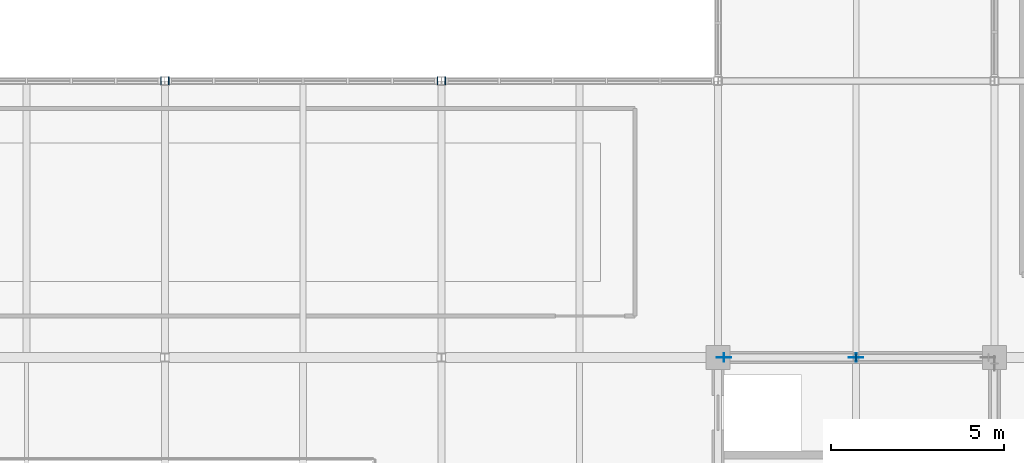
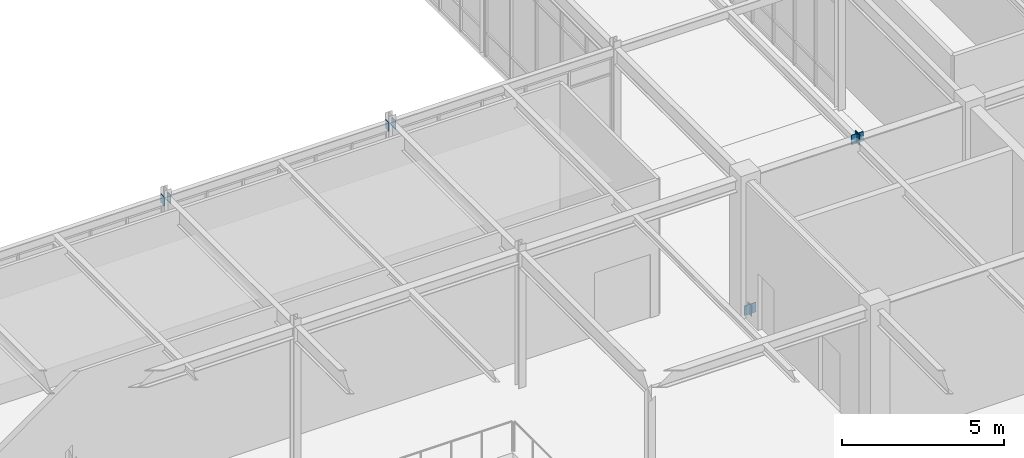
# One storey, part 125 of 184: 9 plates.
"""IFC4 building model written with IfcOpenShell, lengths in metres."""

from ifc_helpers import new_model, si_unit, direction, frame, origin, origin_2d, place, context, subcontext, project, spatial, rectangle, extrude, material, layer, layer_set, type_object, element, save


model = new_model("IFC4")

# Units and contexts
model_context = context("Model", 3, precision=1e-05, world=origin(), true_north=direction((0.0, 1.0)))
body_context = subcontext(model_context, "Body", "Model", "MODEL_VIEW")
ifc_project = project(units=[si_unit("LENGTHUNIT", "METRE"), si_unit("AREAUNIT", "SQUARE_METRE"), si_unit("VOLUMEUNIT", "CUBIC_METRE"), si_unit("PLANEANGLEUNIT", "RADIAN"), si_unit("MASSUNIT", "GRAM", prefix="KILO")], contexts=[model_context])

# Site, building, storey
site_placement = place(None, origin())
site = spatial("IfcSite", under=ifc_project, at=site_placement, CompositionType="ELEMENT")
building_placement = place(site_placement, origin())
building = spatial("IfcBuilding", under=site, at=building_placement, Name="Zhaolan Boulevard Law Courts", CompositionType="ELEMENT")
storey_placement = place(building_placement, frame((0.0, 0.0, 5.39990234375)))
storey = spatial("IfcBuildingStorey", under=building, at=storey_placement, Name="L01", CompositionType="ELEMENT", Elevation=5.39990234375)

# Plates
ifc_material_1 = material(Name="Structural steel Q355B", Category="steel")
ifc_layer_1 = layer(ifc_material_1, 0.02392578125)
ifc_layer_set_1 = layer_set([ifc_layer_1])
plate_type_1 = type_object("IfcPlateType", Name="BRACE GUSSET PLATE 24", PredefinedType="SHEET", material=ifc_layer_set_1)
for number, where, z_axis, x_axis, name in (
    (1, (116.179931640625, 22.0, -0.14990234375), (0.0, 0.0, 1.0), (1.0, 0.0, 0.0), "Brace Gusset Connection Plate GP-P2-L01-NA1"),
    (2, (120.0, 22.0, 4.93994140625), (0.0, 0.0, 1.0), (1.0, 0.0, 0.0), "Brace Gusset Connection Plate GP-P2-L01-NAPX"),
):
    element("IfcPlate", number, at=place(storey_placement, frame(where, z_axis=z_axis, x_axis=x_axis)), inside=storey, type_object=plate_type_1, Name=name, PredefinedType="SHEET", context=body_context, shape_type="SweptSolid", body=[
        extrude(rectangle(XDim=0.419921875, YDim=0.02392578125, at=origin_2d()), origin(), (0.0, 0.0, 1.0), 0.360107421875),
    ])
ifc_material_2 = material(Name="Structural steel Q355B", Category="steel")
ifc_layer_2 = layer(ifc_material_2, 0.02001953125)
ifc_layer_set_2 = layer_set([ifc_layer_2])
plate_type_2 = type_object("IfcPlateType", Name="END CAP PLATE 20", PredefinedType="SHEET", material=ifc_layer_set_2)
for number, where, z_axis, x_axis, name in (
    (3, (99.886962890625, 30.0, 4.822998046875), (0.0, 0.0, 1.0), (1.0, 0.0, 0.0), "Hollow Section End-Cap Plate ECP-0746"),
    (4, (100.113037109375, 30.0, 4.822998046875), (0.0, 0.0, 1.0), (1.0, 0.0, 0.0), "Hollow Section End-Cap Plate ECP-0747"),
    (5, (107.886962890625, 30.0, 4.822998046875), (0.0, 0.0, 1.0), (1.0, 0.0, 0.0), "Hollow Section End-Cap Plate ECP-0748"),
    (6, (108.113037109375, 30.0, 4.822998046875), (0.0, 0.0, 1.0), (1.0, 0.0, 0.0), "Hollow Section End-Cap Plate ECP-0749"),
):
    element("IfcPlate", number, at=place(storey_placement, frame(where, z_axis=z_axis, x_axis=x_axis)), inside=storey, type_object=plate_type_2, Name=name, PredefinedType="SHEET", context=body_context, shape_type="SweptSolid", body=[
        extrude(rectangle(XDim=0.02001953125, YDim=0.22998046875, at=origin_2d()), origin(), (0.0, 0.0, 1.0), 0.330078125),
    ])
for number, where, z_axis, x_axis, name in (
    (7, (116.17529296875, 22.0, -0.184326171875), (0.0, 0.0, 1.0), (1.0, 0.0, 0.0), "Hollow Section End-Cap Plate ECP-1263"),
    (8, (120.0048828125, 22.0, 4.91845703125), (0.0, 0.0, 1.0), (1.0, 0.0, 0.0), "Hollow Section End-Cap Plate ECP-1264"),
):
    element("IfcPlate", number, at=place(storey_placement, frame(where, z_axis=z_axis, x_axis=x_axis)), inside=storey, type_object=plate_type_2, Name=name, PredefinedType="SHEET", context=body_context, shape_type="SweptSolid", body=[
        extrude(rectangle(XDim=0.02001953125, YDim=0.25, at=origin_2d()), origin(), (0.0, 0.0, 1.0), 0.416015625),
    ])
plate_placement = place(storey_placement, frame((119.9951171875, 22.0, 4.93505859375), z_axis=(0.0, 0.0, 1.0), x_axis=(-1.0, 0.0, 0.0)))
element("IfcPlate", 9, at=plate_placement, inside=storey, type_object=plate_type_2, Name="Hollow Section End-Cap Plate ECP-1266", PredefinedType="SHEET", context=body_context, shape_type="SweptSolid", body=[
    extrude(rectangle(XDim=0.02001953125, YDim=0.22998046875, at=origin_2d()), origin(), (0.0, 0.0, 1.0), 0.383056640625),
])

save(model, "model.ifc")
